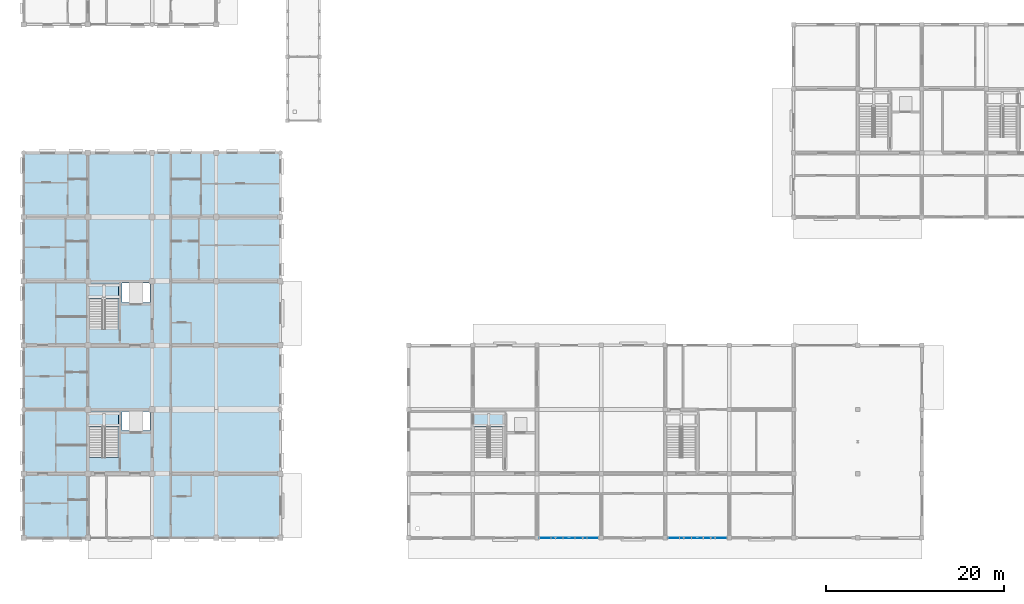
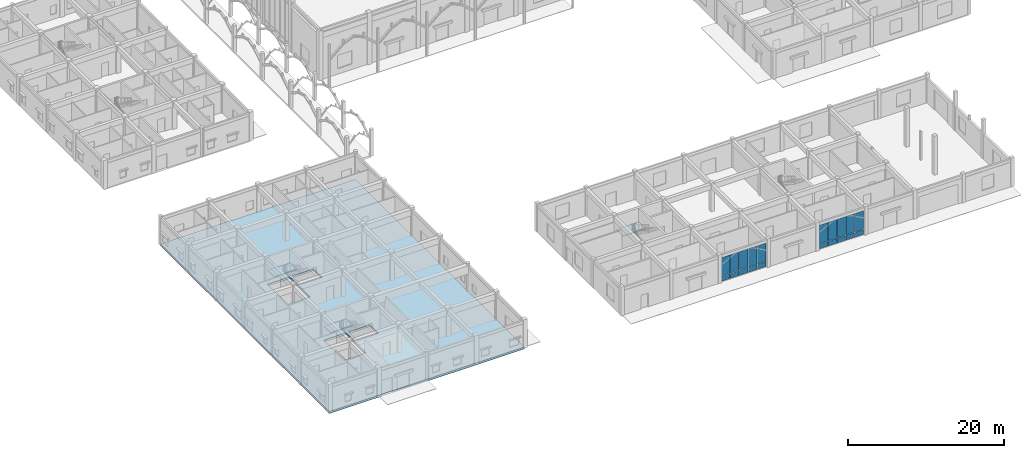
# One storey, part 60 of 138: 20 plates, 4 slabs, 5 elements without a shape of their own.
"""IFC4 building model written with IfcOpenShell, lengths in metres."""

import ifcopenshell
import ifcopenshell.guid

model = None  # the IFC model being written
_history = None  # IfcOwnerHistory: only IFC2X3 demands one
_inside = {}  # id of a spatial element -> (the spatial element, [elements in it])
_under = {}  # id of a project, library or spatial element -> (it, [spatial elements below it])
_declared = {}  # id of a project -> (the project, [libraries it declares])
_typed = {}  # id of a type object -> (the type object, [elements of that type])
_made_of = {}  # id of a material, layer set ... -> (it, [elements and type objects made of it])


def new_model(schema):
    """Start an empty IFC model of exactly this schema.

    Asked for "IFC4X3", IfcOpenShell would pick the latest addendum, in which some entities
    have other attributes; the version numbers below select the first issue.
    IFC2X3 requires an IfcOwnerHistory on every rooted entity: one is made here for all.
    """
    global model, _history
    if schema == "IFC4X3":
        model = ifcopenshell.file(schema_version=(4, 3, 0, 0))
    else:
        model = ifcopenshell.file(schema=schema)
    _inside.clear()
    _under.clear()
    _declared.clear()
    _typed.clear()
    _made_of.clear()
    _history = None
    if model.schema == "IFC2X3":
        org = make("IfcOrganization", Name="unknown")
        user = make(
            "IfcPersonAndOrganization",
            ThePerson=make("IfcPerson", FamilyName="unknown"),
            TheOrganization=org,
        )
        app = make(
            "IfcApplication",
            ApplicationDeveloper=org,
            Version="unknown",
            ApplicationFullName="unknown",
            ApplicationIdentifier="unknown",
        )
        _history = make(
            "IfcOwnerHistory",
            OwningUser=user,
            OwningApplication=app,
            ChangeAction="ADDED",
            CreationDate=0,
        )
    return model


def make(cls, **values):
    """One entity of the class cls with the attributes given. An attribute that is None is left unset."""
    return model.create_entity(
        cls, **{name: value for name, value in values.items() if value is not None}
    )


def rooted(cls, **values):
    """An entity with a GlobalId (a new one), such as an element, a storey or a relation."""
    return make(cls, GlobalId=ifcopenshell.guid.new(), OwnerHistory=_history, **values)


def si_unit(unit_type, name, prefix=None):
    """IfcSIUnit, for example si_unit("LENGTHUNIT", "METRE", prefix="MILLI")."""
    return make("IfcSIUnit", UnitType=unit_type, Prefix=prefix, Name=name)


def assignment(units):
    """IfcUnitAssignment: the units of a project."""
    return None if units is None else make("IfcUnitAssignment", Units=units)


def point(xyz):
    """IfcCartesianPoint."""
    return None if xyz is None else make("IfcCartesianPoint", Coordinates=xyz)


def direction(xyz):
    """IfcDirection."""
    return None if xyz is None else make("IfcDirection", DirectionRatios=xyz)


def frame(location, z_axis=None, x_axis=None):
    """IfcAxis2Placement3D, a coordinate frame: its origin and axes. An axis left out is left unset."""
    return make(
        "IfcAxis2Placement3D",
        Location=point(location),
        Axis=direction(z_axis),
        RefDirection=direction(x_axis),
    )


def frame_2d(location, x_axis=None):
    """IfcAxis2Placement2D, a coordinate frame in the plane: its origin and x axis."""
    return make(
        "IfcAxis2Placement2D", Location=point(location), RefDirection=direction(x_axis)
    )


def origin():
    """The frame at (0, 0, 0) with its axes left unset."""
    return frame((0.0, 0.0, 0.0))


def origin_2d():
    """The frame at (0, 0) in the plane with its x axis left unset."""
    return frame_2d((0.0, 0.0))


def place(relative_to, where):
    """IfcLocalPlacement: puts the frame where relative to a parent placement (None: the world)."""
    return make(
        "IfcLocalPlacement", PlacementRelTo=relative_to, RelativePlacement=where
    )


def context(
    kind, dimensions, precision=None, world=None, true_north=None, identifier=None
):
    """IfcGeometricRepresentationContext, for example the 3D "Model" context."""
    return make(
        "IfcGeometricRepresentationContext",
        ContextIdentifier=identifier,
        ContextType=kind,
        CoordinateSpaceDimension=dimensions,
        Precision=precision,
        WorldCoordinateSystem=world,
        TrueNorth=true_north,
    )


def subcontext(parent, identifier, kind, view, scale=None):
    """IfcGeometricRepresentationSubContext, for example "Body" below "Model"."""
    return make(
        "IfcGeometricRepresentationSubContext",
        ContextIdentifier=identifier,
        ContextType=kind,
        ParentContext=parent,
        TargetScale=scale,
        TargetView=view,
    )


def project(units=None, contexts=None):
    """IfcProject with its units and contexts."""
    return rooted(
        "IfcProject",
        Name="project",
        RepresentationContexts=contexts,
        UnitsInContext=assignment(units),
    )


def spatial(cls, under=None, at=None, **own):
    """A site, building, storey or space (cls), placed at a placement, below another one or the project."""
    s = rooted(cls, ObjectPlacement=at, **own)
    if under is not None:
        _under.setdefault(under.id(), (under, []))[1].append(s)
    return s


def polyline(points):
    """IfcPolyline through the points."""
    return make("IfcPolyline", Points=[point(p) for p in points])


def profile(cls, at=None, kind="AREA", **sizes):
    """A parametric profile (cls). Its sizes go by their IFC names, for example OverallWidth=200.0."""
    return make(cls, ProfileType=kind, Position=at, **sizes)


def rectangle(**sizes):
    """IfcRectangleProfileDef."""
    return profile("IfcRectangleProfileDef", **sizes)


def outline(outer, holes=None, kind="AREA"):
    """IfcArbitraryClosedProfileDef: a profile drawn as a closed curve; with holes, ...WithVoids."""
    if holes is None:
        return make("IfcArbitraryClosedProfileDef", ProfileType=kind, OuterCurve=outer)
    return make(
        "IfcArbitraryProfileDefWithVoids",
        ProfileType=kind,
        OuterCurve=outer,
        InnerCurves=holes,
    )


def extrude(swept, where, along, depth):
    """IfcExtrudedAreaSolid: the profile swept, set in the frame where, extruded along a direction by depth."""
    return make(
        "IfcExtrudedAreaSolid",
        SweptArea=swept,
        Position=where,
        ExtrudedDirection=direction(along),
        Depth=depth,
    )


def shape(context_of_items, identifier, shape_type, items):
    """IfcShapeRepresentation: the items that make up one representation, for example the "Body"."""
    return make(
        "IfcShapeRepresentation",
        ContextOfItems=context_of_items,
        RepresentationIdentifier=identifier,
        RepresentationType=shape_type,
        Items=items,
    )


def material(Name=None, Category=None):
    """IfcMaterial."""
    return make("IfcMaterial", Name=Name, Category=Category)


def layer(
    of_material, thickness, ventilated=None, Name=None, Category=None, Priority=None
):
    """IfcMaterialLayer: one layer of a wall or slab, of a material (None: an air gap)."""
    return make(
        "IfcMaterialLayer",
        Material=of_material,
        LayerThickness=thickness,
        IsVentilated=ventilated,
        Name=Name,
        Category=Category,
        Priority=Priority,
    )


def layer_set(layers, Name=None):
    """IfcMaterialLayerSet."""
    return make("IfcMaterialLayerSet", MaterialLayers=layers, LayerSetName=Name)


def made_of(thing, what):
    """Note that an element or type object is made of a material, layer set ...; save() writes the relation."""
    if what is not None:
        _made_of.setdefault(what.id(), (what, []))[1].append(thing)
    return thing


def type_object(cls, material=None, **own):
    """A type object (cls), such as IfcWallType, which elements share."""
    return made_of(rooted(cls, **own), material)


def element(
    cls,
    number,
    at=None,
    inside=None,
    cuts=None,
    type_object=None,
    material=None,
    context=None,
    identifier="Body",
    shape_type=None,
    held_by="IfcProductDefinitionShape",
    body=None,
    shapes=None,
    **own,
):
    """One element of the class cls, such as IfcWall. Its Tag is "e" and its number.

    at: its placement. inside: the storey or other place that contains it. cuts: it is an
    opening in that element (IfcRelVoidsElement). A single representation is given by context,
    identifier, shape_type and body (its items); several are given by shapes. held_by: the class
    of the entity that holds the representations. save() writes the other relations.
    """
    e = rooted(cls, Tag="e%d" % number, ObjectPlacement=at, **own)
    if body is not None:
        shapes = [shape(context, identifier, shape_type, body)]
    if shapes is not None:
        e.Representation = make(held_by, Representations=shapes)
    if inside is not None:
        _inside.setdefault(inside.id(), (inside, []))[1].append(e)
    if cuts is not None:
        rooted(
            "IfcRelVoidsElement", RelatingBuildingElement=cuts, RelatedOpeningElement=e
        )
    if type_object is not None:
        _typed.setdefault(type_object.id(), (type_object, []))[1].append(e)
    return made_of(e, material)


def aggregate(whole, parts):
    """IfcRelAggregates: a whole, such as a stair, and the parts it consists of."""
    return rooted("IfcRelAggregates", RelatingObject=whole, RelatedObjects=parts)


def save(model, path):
    """Write the relations noted so far, then the file.

    IfcRelAggregates (storeys below a building ...), IfcRelContainedInSpatialStructure (elements
    in a storey), IfcRelDefinesByType, IfcRelAssociatesMaterial and IfcRelDeclares: one each for
    every whole, place, type object, material and project.
    """
    for whole, parts in _under.values():
        aggregate(whole, parts)
    for where, things in _inside.values():
        rooted(
            "IfcRelContainedInSpatialStructure",
            RelatedElements=things,
            RelatingStructure=where,
        )
    for kind, things in _typed.values():
        rooted("IfcRelDefinesByType", RelatedObjects=things, RelatingType=kind)
    for what, things in _made_of.values():
        rooted("IfcRelAssociatesMaterial", RelatedObjects=things, RelatingMaterial=what)
    for by, libraries in _declared.values():
        rooted("IfcRelDeclares", RelatingContext=by, RelatedDefinitions=libraries)
    model.write(path)


model = new_model("IFC4")

# Units and contexts
model_context = context("Model", 3, precision=1e-05, world=origin(), true_north=direction((0.0, 1.0)))
body_context = subcontext(model_context, "Body", "Model", "MODEL_VIEW")
ifc_project = project(units=[si_unit("LENGTHUNIT", "METRE"), si_unit("AREAUNIT", "SQUARE_METRE"), si_unit("VOLUMEUNIT", "CUBIC_METRE"), si_unit("PLANEANGLEUNIT", "RADIAN"), si_unit("MASSUNIT", "GRAM", prefix="KILO"), si_unit("THERMODYNAMICTEMPERATUREUNIT", "KELVIN"), si_unit("POWERUNIT", "WATT")], contexts=[model_context])

# Site, building, storey
site_placement = place(None, origin())
site = spatial("IfcSite", under=ifc_project, at=site_placement, CompositionType="ELEMENT")
building_placement = place(site_placement, origin())
building = spatial("IfcBuilding", under=site, at=building_placement, Name="Tavuni Mirador Residences", CompositionType="ELEMENT")
storey_placement = place(building_placement, origin())
storey = spatial("IfcBuildingStorey", under=building, at=storey_placement, Name="L00", CompositionType="ELEMENT", Elevation=0.0)

# Curtain wall, plates
ifc_material_1 = material(Name="Anodised aluminium", Category="aluminium")
ifc_layer_1 = layer(ifc_material_1, 0.18994140625, Name="Anodised aluminium", Category="aluminium")
ifc_layer_set_1 = layer_set([ifc_layer_1], Name="Anodised aluminium")
curtain_wall_type = type_object("IfcCurtainWallType", Name="CWT-SHP-01", PredefinedType="NOTDEFINED", material=ifc_layer_set_1)
curtain_wall_1_placement = place(storey_placement, origin())
curtain_wall_1 = element("IfcCurtainWall", 1, at=curtain_wall_1_placement, inside=storey, type_object=curtain_wall_type, Name="CW-PAV-SHOP-L00-S02", PredefinedType="NOTDEFINED")
ifc_material_2 = material(Name="Laminated solar-control glass", Category="glass")
ifc_layer_2 = layer(ifc_material_2, 0.031982421875, Name="Laminated solar-control glass", Category="glass")
ifc_layer_set_2 = layer_set([ifc_layer_2], Name="Laminated solar-control glass")
plate_type_1 = type_object("IfcPlateType", Name="CWP-GL32", PredefinedType="CURTAIN_PANEL", material=ifc_layer_set_2)
plate_1_placement = place(storey_placement, frame((62.137451171875, 7.199951171875, 0.88232421875), z_axis=(0.0, 0.0, 1.0), x_axis=(1.0, 0.0, 0.0)))
plate_1 = element("IfcPlate", 2, at=plate_1_placement, type_object=plate_type_1, Name="CW-05 panel 1.2", PredefinedType="CURTAIN_PANEL", context=body_context, shape_type="SweptSolid", body=[
    extrude(rectangle(XDim=1.235107421875, YDim=0.031982421875, at=origin_2d()), origin(), (0.0, 0.0, 1.0), 2.882568359375),
])
plate_2_placement = place(storey_placement, frame((63.4599609375, 7.199951171875, 0.88232421875), z_axis=(0.0, 0.0, 1.0), x_axis=(1.0, 0.0, 0.0)))
plate_2 = element("IfcPlate", 3, at=plate_2_placement, type_object=plate_type_1, Name="CW-05 panel 2.2", PredefinedType="CURTAIN_PANEL", context=body_context, shape_type="SweptSolid", body=[
    extrude(rectangle(XDim=1.27001953125, YDim=0.031982421875, at=origin_2d()), origin(), (0.0, 0.0, 1.0), 2.882568359375),
])
plate_3_placement = place(storey_placement, frame((64.800048828125, 7.199951171875, 0.88232421875), z_axis=(0.0, 0.0, 1.0), x_axis=(1.0, 0.0, 0.0)))
plate_3 = element("IfcPlate", 4, at=plate_3_placement, type_object=plate_type_1, Name="CW-05 panel 3.2", PredefinedType="CURTAIN_PANEL", context=body_context, shape_type="SweptSolid", body=[
    extrude(rectangle(XDim=1.27001953125, YDim=0.031982421875, at=origin_2d()), origin(), (0.0, 0.0, 1.0), 2.882568359375),
])
plate_4_placement = place(storey_placement, frame((66.139892578125, 7.199951171875, 0.88232421875), z_axis=(0.0, 0.0, 1.0), x_axis=(1.0, 0.0, 0.0)))
plate_4 = element("IfcPlate", 5, at=plate_4_placement, type_object=plate_type_1, Name="CW-05 panel 4.2", PredefinedType="CURTAIN_PANEL", context=body_context, shape_type="SweptSolid", body=[
    extrude(rectangle(XDim=1.27001953125, YDim=0.031982421875, at=origin_2d()), origin(), (0.0, 0.0, 1.0), 2.882568359375),
])
plate_5_placement = place(storey_placement, frame((67.46240234375, 7.199951171875, 0.88232421875), z_axis=(0.0, 0.0, 1.0), x_axis=(1.0, 0.0, 0.0)))
plate_5 = element("IfcPlate", 6, at=plate_5_placement, type_object=plate_type_1, Name="CW-05 panel 5.2", PredefinedType="CURTAIN_PANEL", context=body_context, shape_type="SweptSolid", body=[
    extrude(rectangle(XDim=1.235107421875, YDim=0.031982421875, at=origin_2d()), origin(), (0.0, 0.0, 1.0), 2.882568359375),
])

curtain_wall_2_placement = place(storey_placement, origin())
curtain_wall_2 = element("IfcCurtainWall", 7, at=curtain_wall_2_placement, inside=storey, type_object=curtain_wall_type, Name="CW-PAV-SHOP-L00-S04", PredefinedType="NOTDEFINED")
ifc_layer_3 = layer(ifc_material_2, 0.035888671875, Name="Laminated solar-control glass", Category="glass")
ifc_layer_set_3 = layer_set([ifc_layer_3], Name="Laminated solar-control glass")
plate_type_2 = type_object("IfcPlateType", Name="CWP-GL36", PredefinedType="CURTAIN_PANEL", material=ifc_layer_set_3)
plate_6_placement = place(storey_placement, frame((76.528564453125, 7.199951171875, 0.88232421875), z_axis=(0.0, 0.0, 1.0), x_axis=(1.0, 0.0, 0.0)))
plate_6 = element("IfcPlate", 8, at=plate_6_placement, type_object=plate_type_2, Name="CW-05 panel 1.2", PredefinedType="CURTAIN_PANEL", context=body_context, shape_type="SweptSolid", body=[
    extrude(rectangle(XDim=1.237060546875, YDim=0.035888671875, at=origin_2d()), origin(), (0.0, 0.0, 1.0), 2.882568359375),
])
plate_7_placement = place(storey_placement, frame((77.85302734375, 7.199951171875, 0.88232421875), z_axis=(0.0, 0.0, 1.0), x_axis=(1.0, 0.0, 0.0)))
plate_7 = element("IfcPlate", 9, at=plate_7_placement, type_object=plate_type_2, Name="CW-05 panel 2.2", PredefinedType="CURTAIN_PANEL", context=body_context, shape_type="SweptSolid", body=[
    extrude(rectangle(XDim=1.27197265625, YDim=0.035888671875, at=origin_2d()), origin(), (0.0, 0.0, 1.0), 2.882568359375),
])
plate_8_placement = place(storey_placement, frame((79.195068359375, 7.199951171875, 0.88232421875), z_axis=(0.0, 0.0, 1.0), x_axis=(1.0, 0.0, 0.0)))
plate_8 = element("IfcPlate", 10, at=plate_8_placement, type_object=plate_type_2, Name="CW-05 panel 3.2", PredefinedType="CURTAIN_PANEL", context=body_context, shape_type="SweptSolid", body=[
    extrude(rectangle(XDim=1.27197265625, YDim=0.035888671875, at=origin_2d()), origin(), (0.0, 0.0, 1.0), 2.882568359375),
])
plate_9_placement = place(storey_placement, frame((80.537109375, 7.199951171875, 0.88232421875), z_axis=(0.0, 0.0, 1.0), x_axis=(1.0, 0.0, 0.0)))
plate_9 = element("IfcPlate", 11, at=plate_9_placement, type_object=plate_type_2, Name="CW-05 panel 4.2", PredefinedType="CURTAIN_PANEL", context=body_context, shape_type="SweptSolid", body=[
    extrude(rectangle(XDim=1.27197265625, YDim=0.035888671875, at=origin_2d()), origin(), (0.0, 0.0, 1.0), 2.882568359375),
])
plate_10_placement = place(storey_placement, frame((81.861572265625, 7.199951171875, 0.88232421875), z_axis=(0.0, 0.0, 1.0), x_axis=(1.0, 0.0, 0.0)))
plate_10 = element("IfcPlate", 12, at=plate_10_placement, type_object=plate_type_2, Name="CW-05 panel 5.2", PredefinedType="CURTAIN_PANEL", context=body_context, shape_type="SweptSolid", body=[
    extrude(rectangle(XDim=1.237060546875, YDim=0.035888671875, at=origin_2d()), origin(), (0.0, 0.0, 1.0), 2.882568359375),
])

# Plate
ifc_material_3 = material(Name="Ceramic trencadis mosaic panel", Category="masonry")
ifc_layer_4 = layer(ifc_material_3, 0.0419921875, Name="Ceramic trencadis mosaic panel", Category="masonry")
ifc_layer_set_4 = layer_set([ifc_layer_4], Name="Ceramic trencadis mosaic panel")
plate_type_3 = type_object("IfcPlateType", Name="CWP-SP42", PredefinedType="CURTAIN_PANEL", material=ifc_layer_set_4)
plate_11_placement = place(storey_placement, frame((62.137451171875, 7.199951171875, 0.06494140625), z_axis=(0.0, 0.0, 1.0), x_axis=(1.0, 0.0, 0.0)))
plate_11 = element("IfcPlate", 13, at=plate_11_placement, type_object=plate_type_3, Name="CW-05 panel 1.1", PredefinedType="CURTAIN_PANEL", context=body_context, shape_type="SweptSolid", body=[
    extrude(rectangle(XDim=1.235107421875, YDim=0.0419921875, at=origin_2d()), origin(), (0.0, 0.0, 1.0), 0.75244140625),
])

plate_12_placement = place(storey_placement, frame((63.4599609375, 7.199951171875, 0.06494140625), z_axis=(0.0, 0.0, 1.0), x_axis=(1.0, 0.0, 0.0)))
plate_12 = element("IfcPlate", 14, at=plate_12_placement, type_object=plate_type_3, Name="CW-05 panel 2.1", PredefinedType="CURTAIN_PANEL", context=body_context, shape_type="SweptSolid", body=[
    extrude(rectangle(XDim=1.27001953125, YDim=0.0419921875, at=origin_2d()), origin(), (0.0, 0.0, 1.0), 0.75244140625),
])

plate_13_placement = place(storey_placement, frame((64.800048828125, 7.199951171875, 0.06494140625), z_axis=(0.0, 0.0, 1.0), x_axis=(1.0, 0.0, 0.0)))
plate_13 = element("IfcPlate", 15, at=plate_13_placement, type_object=plate_type_3, Name="CW-05 panel 3.1", PredefinedType="CURTAIN_PANEL", context=body_context, shape_type="SweptSolid", body=[
    extrude(rectangle(XDim=1.27001953125, YDim=0.0419921875, at=origin_2d()), origin(), (0.0, 0.0, 1.0), 0.75244140625),
])

plate_14_placement = place(storey_placement, frame((66.139892578125, 7.199951171875, 0.06494140625), z_axis=(0.0, 0.0, 1.0), x_axis=(1.0, 0.0, 0.0)))
plate_14 = element("IfcPlate", 16, at=plate_14_placement, type_object=plate_type_3, Name="CW-05 panel 4.1", PredefinedType="CURTAIN_PANEL", context=body_context, shape_type="SweptSolid", body=[
    extrude(rectangle(XDim=1.27001953125, YDim=0.0419921875, at=origin_2d()), origin(), (0.0, 0.0, 1.0), 0.75244140625),
])

plate_15_placement = place(storey_placement, frame((67.46240234375, 7.199951171875, 0.06494140625), z_axis=(0.0, 0.0, 1.0), x_axis=(1.0, 0.0, 0.0)))
plate_15 = element("IfcPlate", 17, at=plate_15_placement, type_object=plate_type_3, Name="CW-05 panel 5.1", PredefinedType="CURTAIN_PANEL", context=body_context, shape_type="SweptSolid", body=[
    extrude(rectangle(XDim=1.235107421875, YDim=0.0419921875, at=origin_2d()), origin(), (0.0, 0.0, 1.0), 0.75244140625),
])

aggregate(curtain_wall_1, [plate_11, plate_1, plate_12, plate_2, plate_13, plate_3, plate_14, plate_4, plate_15, plate_5])

ifc_layer_5 = layer(ifc_material_3, 0.048095703125, Name="Ceramic trencadis mosaic panel", Category="masonry")
ifc_layer_set_5 = layer_set([ifc_layer_5], Name="Ceramic trencadis mosaic panel")
plate_type_4 = type_object("IfcPlateType", Name="CWP-SP48", PredefinedType="CURTAIN_PANEL", material=ifc_layer_set_5)
plate_16_placement = place(storey_placement, frame((76.528564453125, 7.199951171875, 0.06494140625), z_axis=(0.0, 0.0, 1.0), x_axis=(1.0, 0.0, 0.0)))
plate_16 = element("IfcPlate", 18, at=plate_16_placement, type_object=plate_type_4, Name="CW-05 panel 1.1", PredefinedType="CURTAIN_PANEL", context=body_context, shape_type="SweptSolid", body=[
    extrude(rectangle(XDim=1.237060546875, YDim=0.048095703125, at=origin_2d()), origin(), (0.0, 0.0, 1.0), 0.75244140625),
])

plate_17_placement = place(storey_placement, frame((77.85302734375, 7.199951171875, 0.06494140625), z_axis=(0.0, 0.0, 1.0), x_axis=(1.0, 0.0, 0.0)))
plate_17 = element("IfcPlate", 19, at=plate_17_placement, type_object=plate_type_4, Name="CW-05 panel 2.1", PredefinedType="CURTAIN_PANEL", context=body_context, shape_type="SweptSolid", body=[
    extrude(rectangle(XDim=1.27197265625, YDim=0.048095703125, at=origin_2d()), origin(), (0.0, 0.0, 1.0), 0.75244140625),
])

plate_18_placement = place(storey_placement, frame((79.195068359375, 7.199951171875, 0.06494140625), z_axis=(0.0, 0.0, 1.0), x_axis=(1.0, 0.0, 0.0)))
plate_18 = element("IfcPlate", 20, at=plate_18_placement, type_object=plate_type_4, Name="CW-05 panel 3.1", PredefinedType="CURTAIN_PANEL", context=body_context, shape_type="SweptSolid", body=[
    extrude(rectangle(XDim=1.27197265625, YDim=0.048095703125, at=origin_2d()), origin(), (0.0, 0.0, 1.0), 0.75244140625),
])

plate_19_placement = place(storey_placement, frame((80.537109375, 7.199951171875, 0.06494140625), z_axis=(0.0, 0.0, 1.0), x_axis=(1.0, 0.0, 0.0)))
plate_19 = element("IfcPlate", 21, at=plate_19_placement, type_object=plate_type_4, Name="CW-05 panel 4.1", PredefinedType="CURTAIN_PANEL", context=body_context, shape_type="SweptSolid", body=[
    extrude(rectangle(XDim=1.27197265625, YDim=0.048095703125, at=origin_2d()), origin(), (0.0, 0.0, 1.0), 0.75244140625),
])

plate_20_placement = place(storey_placement, frame((81.861572265625, 7.199951171875, 0.06494140625), z_axis=(0.0, 0.0, 1.0), x_axis=(1.0, 0.0, 0.0)))
plate_20 = element("IfcPlate", 22, at=plate_20_placement, type_object=plate_type_4, Name="CW-05 panel 5.1", PredefinedType="CURTAIN_PANEL", context=body_context, shape_type="SweptSolid", body=[
    extrude(rectangle(XDim=1.237060546875, YDim=0.048095703125, at=origin_2d()), origin(), (0.0, 0.0, 1.0), 0.75244140625),
])

aggregate(curtain_wall_2, [plate_16, plate_6, plate_17, plate_7, plate_18, plate_8, plate_19, plate_9, plate_20, plate_10])

# Slab
ifc_material_4 = material(Name="In-situ concrete C35/45", Category="concrete")
ifc_layer_6 = layer(ifc_material_4, 0.320068359375, Name="In-situ concrete C35/45", Category="concrete")
ifc_layer_set_6 = layer_set([ifc_layer_6], Name="In-situ concrete C35/45")
slab_type_1 = type_object("IfcSlabType", Name="SLT-FLR320", PredefinedType="FLOOR", material=ifc_layer_set_6)
slab_1_placement = place(storey_placement, frame((0.0, 0.0, -0.320068359375)))
element("IfcSlab", 23, at=slab_1_placement, inside=storey, type_object=slab_type_1, Name="SLB-BLK-A-L00", PredefinedType="FLOOR", context=body_context, shape_type="SweptSolid", body=[
    extrude(outline(polyline([(3.60009765625, 7.199951171875), (32.39990234375, 7.199951171875), (32.39990234375, 50.39990234375), (3.60009765625, 50.39990234375), (3.60009765625, 7.199951171875)]), holes=[polyline([(10.9599609375, 16.2080078125), (14.239990234375, 16.2080078125), (14.239990234375, 21.360107421875), (10.9599609375, 21.360107421875), (10.9599609375, 16.2080078125)]), polyline([(14.6201171875, 19.219970703125), (17.780029296875, 19.219970703125), (17.780029296875, 21.3798828125), (14.6201171875, 21.3798828125), (14.6201171875, 19.219970703125)]), polyline([(10.9599609375, 30.60791015625), (14.239990234375, 30.60791015625), (14.239990234375, 35.760009765625), (10.9599609375, 35.760009765625), (10.9599609375, 30.60791015625)]), polyline([(14.6201171875, 33.6201171875), (17.780029296875, 33.6201171875), (17.780029296875, 35.780029296875), (14.6201171875, 35.780029296875), (14.6201171875, 33.6201171875)])]), origin(), (0.0, 0.0, 1.0), 0.320068359375),
])

# Stair, slab
ifc_material_5 = material(Name="Precast concrete C40/50", Category="concrete")
stair_type = type_object("IfcStairType", Name="STT-L00", PredefinedType="HALF_TURN_STAIR", material=ifc_material_5)
stair_1_placement = place(storey_placement, origin())
stair_1 = element("IfcStair", 24, at=stair_1_placement, inside=storey, type_object=stair_type, Name="Protected exit stair ST1 (L00)", PredefinedType="HALF_TURN_STAIR")
ifc_layer_7 = layer(ifc_material_5, 0.179931640625, Name="Precast concrete C40/50", Category="concrete")
ifc_layer_set_7 = layer_set([ifc_layer_7], Name="Precast concrete C40/50")
slab_type_2 = type_object("IfcSlabType", Name="SLT-LND180", PredefinedType="LANDING", material=ifc_layer_set_7)
slab_2_placement = place(storey_placement, frame((0.0, 0.0, 2.070068359375)))
slab_2 = element("IfcSlab", 25, at=slab_2_placement, type_object=slab_type_2, Name="ST1 landing 1", PredefinedType="LANDING", context=body_context, shape_type="SweptSolid", body=[
    extrude(outline(polyline([(10.93994140625, 19.612060546875), (14.260009765625, 19.612060546875), (14.260009765625, 21.300048828125), (10.93994140625, 21.300048828125), (10.93994140625, 19.612060546875)])), origin(), (0.0, 0.0, 1.0), 0.179931640625),
])
aggregate(stair_1, [slab_2])

stair_2_placement = place(storey_placement, origin())
stair_2 = element("IfcStair", 26, at=stair_2_placement, inside=storey, type_object=stair_type, Name="Protected exit stair ST2 (L00)", PredefinedType="HALF_TURN_STAIR")
slab_3_placement = place(storey_placement, frame((0.0, 0.0, 2.070068359375)))
slab_3 = element("IfcSlab", 27, at=slab_3_placement, type_object=slab_type_2, Name="ST2 landing 1", PredefinedType="LANDING", context=body_context, shape_type="SweptSolid", body=[
    extrude(outline(polyline([(10.93994140625, 34.011962890625), (14.260009765625, 34.011962890625), (14.260009765625, 35.699951171875), (10.93994140625, 35.699951171875), (10.93994140625, 34.011962890625)])), origin(), (0.0, 0.0, 1.0), 0.179931640625),
])
aggregate(stair_2, [slab_3])

stair_3_placement = place(storey_placement, origin())
stair_3 = element("IfcStair", 28, at=stair_3_placement, inside=storey, type_object=stair_type, Name="Protected exit stair ST9 (L00)", PredefinedType="HALF_TURN_STAIR")
slab_4_placement = place(storey_placement, frame((0.0, 0.0, 2.070068359375)))
slab_4 = element("IfcSlab", 29, at=slab_4_placement, type_object=slab_type_2, Name="ST9 landing 1", PredefinedType="LANDING", context=body_context, shape_type="SweptSolid", body=[
    extrude(outline(polyline([(54.139892578125, 19.612060546875), (57.4599609375, 19.612060546875), (57.4599609375, 21.300048828125), (54.139892578125, 21.300048828125), (54.139892578125, 19.612060546875)])), origin(), (0.0, 0.0, 1.0), 0.179931640625),
])
aggregate(stair_3, [slab_4])

save(model, "model.ifc")
